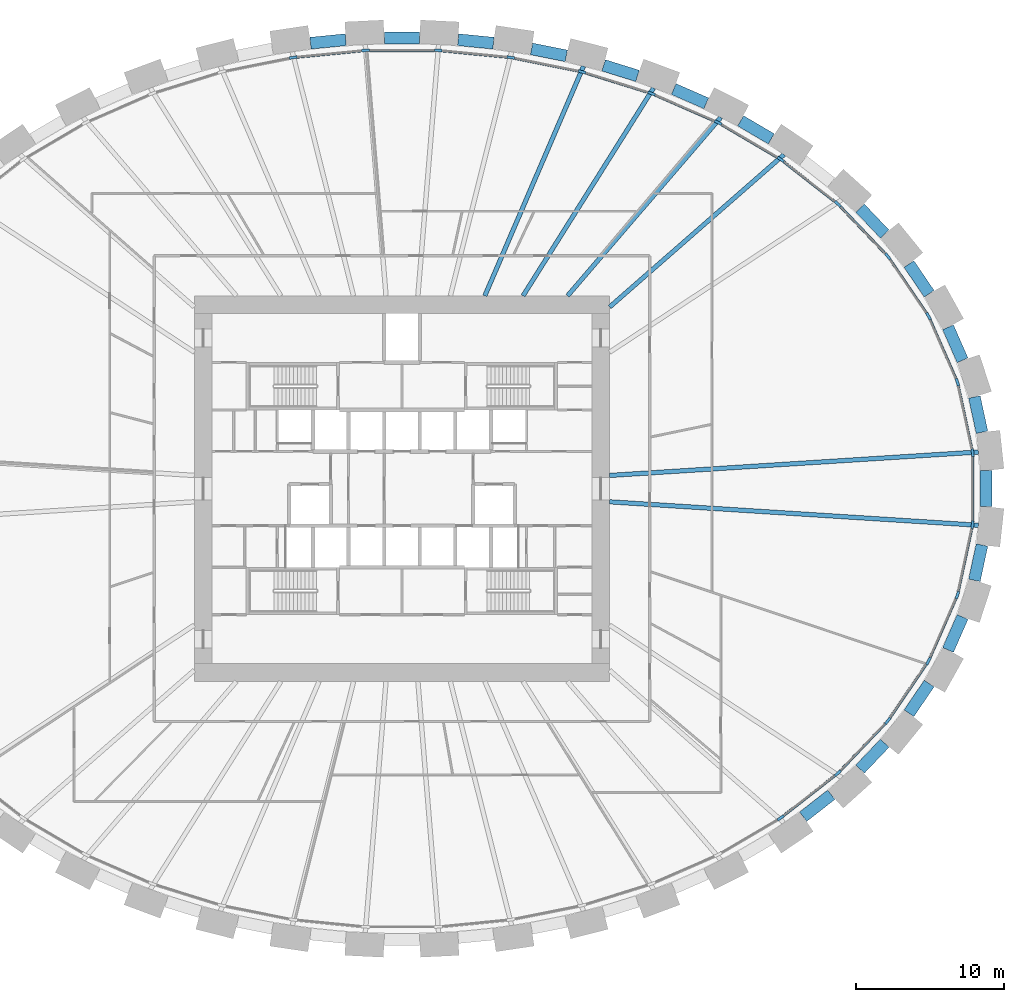
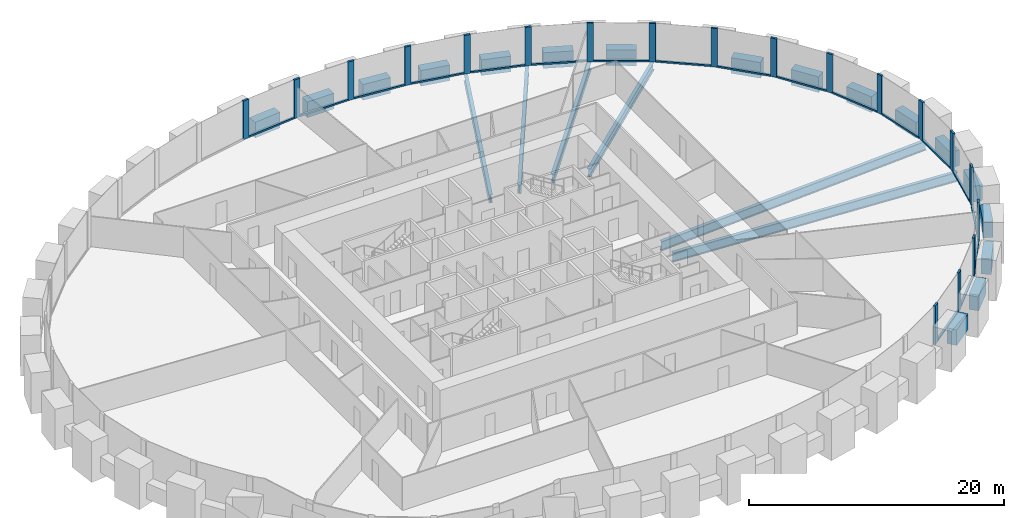
# One storey, part 3 of 11: 37 members, 23 beams, 1 element without a shape of its own.
"""IFC4 building model written with IfcOpenShell, lengths in metres."""

from ifc_helpers import new_model, si_unit, direction, frame, origin, origin_2d, place, context, subcontext, project, spatial, rectangle, i_section, extrude, source, transform, mapped, material, material_profile, profile_set, type_object, element, aggregate, save


model = new_model("IFC4")

# Units and contexts
model_context = context("Model", 3, precision=1e-05, world=origin(), true_north=direction((0.0, 1.0)))
body_context = subcontext(model_context, "Body", "Model", "MODEL_VIEW")
ifc_project = project(units=[si_unit("LENGTHUNIT", "METRE"), si_unit("AREAUNIT", "SQUARE_METRE"), si_unit("VOLUMEUNIT", "CUBIC_METRE"), si_unit("PLANEANGLEUNIT", "RADIAN"), si_unit("MASSUNIT", "GRAM", prefix="KILO")], contexts=[model_context])

# Site, building, storey
site_placement = place(None, origin())
site = spatial("IfcSite", under=ifc_project, at=site_placement, CompositionType="ELEMENT")
building_placement = place(site_placement, origin())
building = spatial("IfcBuilding", under=site, at=building_placement, Name="Embergate Tower", CompositionType="ELEMENT")
storey_placement = place(building_placement, frame((0.0, 0.0, 41.89990234375)))
storey = spatial("IfcBuildingStorey", under=building, at=storey_placement, Name="L06", CompositionType="ELEMENT", Elevation=41.89990234375)

# Beams
ifc_material_1 = material(Name="Concrete C70", Category="concrete")
ifc_material_profile_1 = material_profile(ifc_material_1, rectangle(XDim=0.800048828125, YDim=1.5, at=origin_2d()), Name="RC 800x1500")
ifc_profile_set_1 = profile_set([ifc_material_profile_1], Name="Concrete C70")
beam_type_1 = type_object("IfcBeamType", Name="Spandrel beam RC 800x1500 C70", PredefinedType="BEAM", material=ifc_profile_set_1)
shared_shape_1 = source(origin(), body_context, "Body", "SweptSolid", [
    extrude(rectangle(XDim=0.800048828125, YDim=1.5, at=origin_2d()), origin(), (0.0, 0.0, 1.0), 2.431396484375),
])
for number, where, z_axis, x_axis, name in (
    (1, (39.10302734375, 3.802001953125, 0.0), (-0.210557552213, 0.977581463207, 0.0), (-0.977581463207, -0.210557552213, 0.0), "SPN-L06-00"),
    (2, (38.591064453125, -6.178955078125, 0.0), (0.210557552213, 0.977581463207, 0.0), (-0.977581463207, 0.210557552213, 0.0), "SPN-L06-42"),
):
    element("IfcBeam", number, at=place(storey_placement, frame(where, z_axis=z_axis, x_axis=x_axis)), inside=storey, type_object=beam_type_1, Name=name, PredefinedType="BEAM", context=body_context, shape_type="MappedRepresentation", body=[
        mapped(shared_shape_1, transform((0.0, 0.0, 0.0))),
    ])
shared_shape_2 = source(origin(), body_context, "Body", "SweptSolid", [
    extrude(rectangle(XDim=0.800048828125, YDim=1.5, at=origin_2d()), origin(), (0.0, 0.0, 1.0), 2.42724609375),
])
for number, where, z_axis, x_axis, name in (
    (3, (37.791015625, 8.653076171875, 0.0), (-0.401710329843, 0.915766788488, 0.0), (-0.915766788488, -0.401710329843, 0.0), "SPN-L06-01"),
    (4, (36.81591796875, -10.8759765625, 0.0), (0.401710329843, 0.915766788488, 0.0), (-0.915766788488, 0.401710329843, 0.0), "SPN-L06-41"),
):
    element("IfcBeam", number, at=place(storey_placement, frame(where, z_axis=z_axis, x_axis=x_axis)), inside=storey, type_object=beam_type_1, Name=name, PredefinedType="BEAM", context=body_context, shape_type="MappedRepresentation", body=[
        mapped(shared_shape_2, transform((0.0, 0.0, 0.0))),
    ])
shared_shape_3 = source(origin(), body_context, "Body", "SweptSolid", [
    extrude(rectangle(XDim=0.800048828125, YDim=1.5, at=origin_2d()), origin(), (0.0, 0.0, 1.0), 2.418701171875),
])
for number, where, z_axis, x_axis, name in (
    (5, (35.5400390625, 13.14111328125, 0.0), (-0.562340391575, 0.82690584954, 0.0), (-0.82690584954, -0.562340391575, 0.0), "SPN-L06-02"),
    (6, (34.179931640625, -15.14111328125, 0.0), (0.562340391575, 0.82690584954, 0.0), (-0.82690584954, 0.562340391575, 0.0), "SPN-L06-40"),
):
    element("IfcBeam", number, at=place(storey_placement, frame(where, z_axis=z_axis, x_axis=x_axis)), inside=storey, type_object=beam_type_1, Name=name, PredefinedType="BEAM", context=body_context, shape_type="MappedRepresentation", body=[
        mapped(shared_shape_3, transform((0.0, 0.0, 0.0))),
    ])
shared_shape_4 = source(origin(), body_context, "Body", "SweptSolid", [
    extrude(rectangle(XDim=0.800048828125, YDim=1.5, at=origin_2d()), origin(), (0.0, 0.0, 1.0), 2.410400390625),
])
for number, where, z_axis, x_axis, name in (
    (7, (32.5458984375, 17.1630859375, 0.0), (-0.68988529803, 0.723918694027, 0.0), (-0.723918694027, -0.68988529803, 0.0), "SPN-L06-03"),
    (8, (30.883056640625, -18.907958984375, 0.0), (0.68988529803, 0.723918694027, 0.0), (-0.723918694027, 0.68988529803, 0.0), "SPN-L06-39"),
):
    element("IfcBeam", number, at=place(storey_placement, frame(where, z_axis=z_axis, x_axis=x_axis)), inside=storey, type_object=beam_type_1, Name=name, PredefinedType="BEAM", context=body_context, shape_type="MappedRepresentation", body=[
        mapped(shared_shape_4, transform((0.0, 0.0, 0.0))),
    ])
shared_shape_5 = source(origin(), body_context, "Body", "SweptSolid", [
    extrude(rectangle(XDim=0.800048828125, YDim=1.5, at=origin_2d()), origin(), (0.0, 0.0, 1.0), 2.40234375),
])
beam_1_placement = place(storey_placement, frame((27.048095703125, -22.115966796875, 0.0), z_axis=(0.788327805862, 0.615255451423, 0.0), x_axis=(-0.615255451423, 0.788327805862, 0.0)))
element("IfcBeam", 9, at=beam_1_placement, inside=storey, type_object=beam_type_1, Name="SPN-L06-38", PredefinedType="BEAM", context=body_context, shape_type="MappedRepresentation", body=[
    mapped(shared_shape_5, transform((0.0, 0.0, 0.0))),
])
shared_shape_6 = source(origin(), body_context, "Body", "SweptSolid", [
    extrude(rectangle(XDim=0.800048828125, YDim=1.5, at=origin_2d()), origin(), (0.0, 0.0, 1.0), 2.397705078125),
])
beam_2_placement = place(storey_placement, frame((24.89794921875, 23.577880859375, 0.0), z_axis=(-0.86206768602, 0.506793157728, 0.0), x_axis=(-0.506793157728, -0.86206768602, 0.0)))
element("IfcBeam", 10, at=beam_2_placement, inside=storey, type_object=beam_type_1, Name="SPN-L06-05", PredefinedType="BEAM", context=body_context, shape_type="MappedRepresentation", body=[
    mapped(shared_shape_6, transform((0.0, 0.0, 0.0))),
])
shared_shape_7 = source(origin(), body_context, "Body", "SweptSolid", [
    extrude(rectangle(XDim=0.800048828125, YDim=1.5, at=origin_2d()), origin(), (0.0, 0.0, 1.0), 2.394775390625),
])
beam_3_placement = place(storey_placement, frame((20.514892578125, 25.97509765625, 0.0), z_axis=(-0.916133934694, 0.40087231596, 0.0), x_axis=(-0.40087231596, -0.916133934694, 0.0)))
element("IfcBeam", 11, at=beam_3_placement, inside=storey, type_object=beam_type_1, Name="SPN-L06-06", PredefinedType="BEAM", context=body_context, shape_type="MappedRepresentation", body=[
    mapped(shared_shape_7, transform((0.0, 0.0, 0.0))),
])
shared_shape_8 = source(origin(), body_context, "Body", "SweptSolid", [
    extrude(rectangle(XDim=0.800048828125, YDim=1.5, at=origin_2d()), origin(), (0.0, 0.0, 1.0), 2.388916015625),
])
beam_4_placement = place(storey_placement, frame((15.8779296875, 27.824951171875, 0.0), z_axis=(-0.954819405725, 0.297186645815, 0.0), x_axis=(-0.297186645815, -0.954819405725, 0.0)))
element("IfcBeam", 12, at=beam_4_placement, inside=storey, type_object=beam_type_1, Name="SPN-L06-07", PredefinedType="BEAM", context=body_context, shape_type="MappedRepresentation", body=[
    mapped(shared_shape_8, transform((0.0, 0.0, 0.0))),
])
shared_shape_9 = source(origin(), body_context, "Body", "SweptSolid", [
    extrude(rectangle(XDim=0.800048828125, YDim=1.5, at=origin_2d()), origin(), (0.0, 0.0, 1.0), 2.38818359375),
])
beam_5_placement = place(storey_placement, frame((11.077880859375, 29.177978515625, 0.0), z_axis=(-0.980529530549, 0.196371687676, 0.0), x_axis=(-0.196371687676, -0.980529530549, 0.0)))
element("IfcBeam", 13, at=beam_5_placement, inside=storey, type_object=beam_type_1, Name="SPN-L06-08", PredefinedType="BEAM", context=body_context, shape_type="MappedRepresentation", body=[
    mapped(shared_shape_9, transform((0.0, 0.0, 0.0))),
])
shared_shape_10 = source(origin(), body_context, "Body", "SweptSolid", [
    extrude(rectangle(XDim=0.800048828125, YDim=1.5, at=origin_2d()), origin(), (0.0, 0.0, 1.0), 2.386474609375),
])
for number, where, z_axis, x_axis, name in (
    (14, (6.1650390625, 30.031005859375, 0.0), (-0.995225797629, 0.097599240434, 0.0), (-0.097599240434, -0.995225797629, 0.0), "SPN-L06-09"),
    (15, (-3.7900390625, 30.263916015625, 0.0), (-0.995225797629, -0.097599240434, 0.0), (0.097599240434, -0.995225797629, 0.0), "SPN-L06-11"),
):
    element("IfcBeam", number, at=place(storey_placement, frame(where, z_axis=z_axis, x_axis=x_axis)), inside=storey, type_object=beam_type_1, Name=name, PredefinedType="BEAM", context=body_context, shape_type="MappedRepresentation", body=[
        mapped(shared_shape_10, transform((0.0, 0.0, 0.0))),
    ])
shared_shape_11 = source(origin(), body_context, "Body", "SweptSolid", [
    extrude(rectangle(XDim=0.800048828125, YDim=1.5, at=origin_2d()), origin(), (0.0, 0.0, 1.0), 2.38623046875),
])
beam_6_placement = place(storey_placement, frame((1.193115234375, 30.39208984375, 0.0), z_axis=(-1.0, 0.0, 0.0), x_axis=(0.0, -1.0, 0.0)))
element("IfcBeam", 16, at=beam_6_placement, inside=storey, type_object=beam_type_1, Name="SPN-L06-10", PredefinedType="BEAM", context=body_context, shape_type="MappedRepresentation", body=[
    mapped(shared_shape_11, transform((0.0, 0.0, 0.0))),
])
shared_shape_12 = source(origin(), body_context, "Body", "SweptSolid", [
    extrude(rectangle(XDim=0.800048828125, YDim=1.5, at=origin_2d()), origin(), (0.0, 0.0, 1.0), 2.43408203125),
])
beam_7_placement = place(storey_placement, frame((39.3779296875, -1.217041015625, 0.0), z_axis=(0.0, 1.0, 0.0), x_axis=(-1.0, 0.0, 0.0)))
element("IfcBeam", 17, at=beam_7_placement, inside=storey, type_object=beam_type_1, Name="SPN-L06-43", PredefinedType="BEAM", context=body_context, shape_type="MappedRepresentation", body=[
    mapped(shared_shape_12, transform((0.0, 0.0, 0.0))),
])
ifc_material_2 = material(Name="Steel Q355B", Category="steel")
ifc_material_profile_2 = material_profile(ifc_material_2, i_section(OverallWidth=0.300048828125, OverallDepth=0.89990234375, WebThickness=0.01611328125, FlangeThickness=0.028076171875, FilletRadius=0.028076171875, at=origin_2d()), Name="HN 900x300x16x28")
ifc_profile_set_2 = profile_set([ifc_material_profile_2], Name="Steel Q355 grade B")
beam_type_2 = type_object("IfcBeamType", Name="Radial girder HN 900x300x16x28", PredefinedType="BEAM", material=ifc_profile_set_2)
shared_shape_13 = source(origin(), body_context, "Body", "SweptSolid", [
    extrude(i_section(OverallWidth=0.300048828125, OverallDepth=0.89990234375, WebThickness=0.01611328125, FlangeThickness=0.028076171875, FilletRadius=0.028076171875, at=origin_2d()), origin(), (0.0, 0.0, 1.0), 24.907958984375),
])
for number, where, z_axis, x_axis, name in (
    (18, (38.85791015625, 2.468994140625, -0.64990234375), (-0.997985884947, -0.063436373209, 0.0), (0.063436373209, -0.997985884947, 0.0), "GIR-L06-00"),
    (19, (38.85791015625, -2.468994140625, -0.64990234375), (-0.997985884947, 0.063436373209, 0.0), (-0.063436373209, -0.997985884947, 0.0), "GIR-L06-43"),
):
    element("IfcBeam", number, at=place(storey_placement, frame(where, z_axis=z_axis, x_axis=x_axis)), inside=storey, type_object=beam_type_2, Name=name, PredefinedType="BEAM", context=body_context, shape_type="MappedRepresentation", body=[
        mapped(shared_shape_13, transform((0.0, 0.0, 0.0))),
    ])
ifc_material_profile_3 = material_profile(ifc_material_2, i_section(OverallWidth=0.300048828125, OverallDepth=0.800048828125, WebThickness=0.013916015625, FlangeThickness=0.02587890625, FilletRadius=0.028076171875, at=origin_2d()), Name="HN 800x300x14x26")
ifc_profile_set_3 = profile_set([ifc_material_profile_3], Name="Steel Q355 grade B")
beam_type_3 = type_object("IfcBeamType", Name="Radial girder HN 800x300x14x26", PredefinedType="BEAM", material=ifc_profile_set_3)
shared_shape_14 = source(origin(), body_context, "Body", "SweptSolid", [
    extrude(i_section(OverallWidth=0.300048828125, OverallDepth=0.800048828125, WebThickness=0.013916015625, FlangeThickness=0.02587890625, FilletRadius=0.028076171875, at=origin_2d()), origin(), (0.0, 0.0, 1.0), 15.611083984375),
])
beam_8_placement = place(storey_placement, frame((25.751953125, 22.51904296875, -0.599853515625), z_axis=(-0.752793660755, -0.658256564211, 0.0), x_axis=(0.658256564211, -0.752793660755, 0.0)))
element("IfcBeam", 20, at=beam_8_placement, inside=storey, type_object=beam_type_3, Name="GIR-L06-05", PredefinedType="BEAM", context=body_context, shape_type="MappedRepresentation", body=[
    mapped(shared_shape_14, transform((0.0, 0.0, 0.0))),
])
shared_shape_15 = source(origin(), body_context, "Body", "SweptSolid", [
    extrude(i_section(OverallWidth=0.300048828125, OverallDepth=0.800048828125, WebThickness=0.013916015625, FlangeThickness=0.02587890625, FilletRadius=0.028076171875, at=origin_2d()), origin(), (0.0, 0.0, 1.0), 15.8505859375),
])
beam_9_placement = place(storey_placement, frame((21.490966796875, 25.02490234375, -0.599853515625), z_axis=(-0.651512825192, -0.758637620086, 0.0), x_axis=(0.758637620086, -0.651512825192, 0.0)))
element("IfcBeam", 21, at=beam_9_placement, inside=storey, type_object=beam_type_3, Name="GIR-L06-06", PredefinedType="BEAM", context=body_context, shape_type="MappedRepresentation", body=[
    mapped(shared_shape_15, transform((0.0, 0.0, 0.0))),
])
shared_shape_16 = source(origin(), body_context, "Body", "SweptSolid", [
    extrude(i_section(OverallWidth=0.300048828125, OverallDepth=0.800048828125, WebThickness=0.013916015625, FlangeThickness=0.02587890625, FilletRadius=0.028076171875, at=origin_2d()), origin(), (0.0, 0.0, 1.0), 16.5390625),
])
beam_10_placement = place(storey_placement, frame((16.9599609375, 27.006103515625, -0.599853515625), z_axis=(-0.53182746927, -0.846852728005, 0.0), x_axis=(0.846852728005, -0.53182746927, 0.0)))
element("IfcBeam", 22, at=beam_10_placement, inside=storey, type_object=beam_type_3, Name="GIR-L06-07", PredefinedType="BEAM", context=body_context, shape_type="MappedRepresentation", body=[
    mapped(shared_shape_16, transform((0.0, 0.0, 0.0))),
])
shared_shape_17 = source(origin(), body_context, "Body", "SweptSolid", [
    extrude(i_section(OverallWidth=0.300048828125, OverallDepth=0.800048828125, WebThickness=0.013916015625, FlangeThickness=0.02587890625, FilletRadius=0.028076171875, at=origin_2d()), origin(), (0.0, 0.0, 1.0), 16.845458984375),
])
beam_11_placement = place(storey_placement, frame((12.240966796875, 28.47607421875, -0.599853515625), z_axis=(-0.394945799239, -0.91870442236, 0.0), x_axis=(0.91870442236, -0.394945799239, 0.0)))
element("IfcBeam", 23, at=beam_11_placement, inside=storey, type_object=beam_type_3, Name="GIR-L06-08", PredefinedType="BEAM", context=body_context, shape_type="MappedRepresentation", body=[
    mapped(shared_shape_17, transform((0.0, 0.0, 0.0))),
])

# Curtain wall, members
ifc_material_3 = material(Name="Aluminium and glass", Category="aluminium")
curtain_wall_type = type_object("IfcCurtainWallType", Name="Recessed office glazing", PredefinedType="NOTDEFINED", material=ifc_material_3)
curtain_wall_placement = place(storey_placement, origin())
curtain_wall = element("IfcCurtainWall", 24, at=curtain_wall_placement, inside=storey, type_object=curtain_wall_type, Name="Recessed office glazing ring", ObjectType="RECESSED OFFICE GLAZING", PredefinedType="USERDEFINED")
ifc_material_4 = material(Name="Aluminium, thermally broken", Category="aluminium")
ifc_material_profile_4 = material_profile(ifc_material_4, rectangle(XDim=0.179931640625, YDim=0.14990234375, at=origin_2d()), Name="AL 150x180")
ifc_profile_set_4 = profile_set([ifc_material_profile_4], Name="Aluminium, thermally broken")
member_type_1 = type_object("IfcMemberType", Name="Office sill transom", PredefinedType="USERDEFINED", material=ifc_profile_set_4)
shared_shape_18 = source(origin(), body_context, "Body", "SweptSolid", [
    extrude(rectangle(XDim=0.179931640625, YDim=0.14990234375, at=origin_2d()), origin(), (0.0, 0.0, 1.0), 4.33642578125),
])
member_1_placement = place(storey_placement, frame((38.415283203125, 2.680908203125, 0.0751953125), z_axis=(-0.210397968538, 0.977615821699, 0.0), x_axis=(-0.977615821699, -0.210397968538, 0.0)))
member_1 = element("IfcMember", 25, at=member_1_placement, type_object=member_type_1, Name="CW transom 1.1", ObjectType="TRANSOM", PredefinedType="USERDEFINED", context=body_context, shape_type="MappedRepresentation", body=[
    mapped(shared_shape_18, transform((0.0, 0.0, 0.0))),
])
member_2_placement = place(storey_placement, frame((37.5029296875, -6.920166015625, 0.0751953125), z_axis=(0.210397968538, 0.977615821699, 0.0), x_axis=(-0.977615821699, 0.210397968538, 0.0)))
member_2 = element("IfcMember", 26, at=member_2_placement, type_object=member_type_1, Name="CW transom 43.1", ObjectType="TRANSOM", PredefinedType="USERDEFINED", context=body_context, shape_type="MappedRepresentation", body=[
    mapped(shared_shape_18, transform((0.0, 0.0, 0.0))),
])
shared_shape_19 = source(origin(), body_context, "Body", "SweptSolid", [
    extrude(rectangle(XDim=0.179931640625, YDim=0.14990234375, at=origin_2d()), origin(), (0.0, 0.0, 1.0), 4.34326171875),
])
member_3_placement = place(storey_placement, frame((37.34375, 7.412353515625, 0.0751953125), z_axis=(-0.401632547459, 0.915800904576, 0.0), x_axis=(-0.915800904576, -0.401632547459, 0.0)))
member_3 = element("IfcMember", 27, at=member_3_placement, type_object=member_type_1, Name="CW transom 2.1", ObjectType="TRANSOM", PredefinedType="USERDEFINED", context=body_context, shape_type="MappedRepresentation", body=[
    mapped(shared_shape_19, transform((0.0, 0.0, 0.0))),
])
member_4_placement = place(storey_placement, frame((35.599365234375, -11.389892578125, 0.0751953125), z_axis=(0.401632547459, 0.915800904576, 0.0), x_axis=(-0.915800904576, 0.401632547459, 0.0)))
member_4 = element("IfcMember", 28, at=member_4_placement, type_object=member_type_1, Name="CW transom 42.1", ObjectType="TRANSOM", PredefinedType="USERDEFINED", context=body_context, shape_type="MappedRepresentation", body=[
    mapped(shared_shape_19, transform((0.0, 0.0, 0.0))),
])
shared_shape_20 = source(origin(), body_context, "Body", "SweptSolid", [
    extrude(rectangle(XDim=0.179931640625, YDim=0.14990234375, at=origin_2d()), origin(), (0.0, 0.0, 1.0), 4.352294921875),
])
member_5_placement = place(storey_placement, frame((35.3486328125, 11.843017578125, 0.0751953125), z_axis=(-0.562352981855, 0.826897287333, 0.0), x_axis=(-0.826897287333, -0.562352981855, 0.0)))
member_5 = element("IfcMember", 29, at=member_5_placement, type_object=member_type_1, Name="CW transom 3.1", ObjectType="TRANSOM", PredefinedType="USERDEFINED", context=body_context, shape_type="MappedRepresentation", body=[
    mapped(shared_shape_20, transform((0.0, 0.0, 0.0))),
])
member_6_placement = place(storey_placement, frame((32.901123046875, -15.44189453125, 0.0751953125), z_axis=(0.562352981855, 0.826897287333, 0.0), x_axis=(-0.826897287333, 0.562352981855, 0.0)))
member_6 = element("IfcMember", 30, at=member_6_placement, type_object=member_type_1, Name="CW transom 41.1", ObjectType="TRANSOM", PredefinedType="USERDEFINED", context=body_context, shape_type="MappedRepresentation", body=[
    mapped(shared_shape_20, transform((0.0, 0.0, 0.0))),
])
shared_shape_21 = source(origin(), body_context, "Body", "SweptSolid", [
    extrude(rectangle(XDim=0.179931640625, YDim=0.14990234375, at=origin_2d()), origin(), (0.0, 0.0, 1.0), 4.361083984375),
])
member_7_placement = place(storey_placement, frame((32.57568359375, 15.844970703125, 0.0751953125), z_axis=(-0.690141477818, 0.723674471427, 0.0), x_axis=(-0.723674471427, -0.690141477818, 0.0)))
member_7 = element("IfcMember", 31, at=member_7_placement, type_object=member_type_1, Name="CW transom 4.1", ObjectType="TRANSOM", PredefinedType="USERDEFINED", context=body_context, shape_type="MappedRepresentation", body=[
    mapped(shared_shape_21, transform((0.0, 0.0, 0.0))),
])
member_8_placement = place(storey_placement, frame((29.56591796875, -19.0009765625, 0.0751953125), z_axis=(0.690141477818, 0.723674471427, 0.0), x_axis=(-0.723674471427, 0.690141477818, 0.0)))
member_8 = element("IfcMember", 32, at=member_8_placement, type_object=member_type_1, Name="CW transom 40.1", ObjectType="TRANSOM", PredefinedType="USERDEFINED", context=body_context, shape_type="MappedRepresentation", body=[
    mapped(shared_shape_21, transform((0.0, 0.0, 0.0))),
])
shared_shape_22 = source(origin(), body_context, "Body", "SweptSolid", [
    extrude(rectangle(XDim=0.179931640625, YDim=0.14990234375, at=origin_2d()), origin(), (0.0, 0.0, 1.0), 4.368408203125),
])
member_9_placement = place(storey_placement, frame((29.181396484375, 19.34912109375, 0.0751953125), z_axis=(-0.788309833008, 0.615278479375, 0.0), x_axis=(-0.615278479375, -0.788309833008, 0.0)))
member_9 = element("IfcMember", 33, at=member_9_placement, type_object=member_type_1, Name="CW transom 5.1", ObjectType="TRANSOM", PredefinedType="USERDEFINED", context=body_context, shape_type="MappedRepresentation", body=[
    mapped(shared_shape_22, transform((0.0, 0.0, 0.0))),
])
member_10_placement = place(storey_placement, frame((25.73779296875, -22.036865234375, 0.0751953125), z_axis=(0.788309833008, 0.615278479375, 0.0), x_axis=(-0.615278479375, 0.788309833008, 0.0)))
member_10 = element("IfcMember", 34, at=member_10_placement, type_object=member_type_1, Name="CW transom 39.1", ObjectType="TRANSOM", PredefinedType="USERDEFINED", context=body_context, shape_type="MappedRepresentation", body=[
    mapped(shared_shape_22, transform((0.0, 0.0, 0.0))),
])
shared_shape_23 = source(origin(), body_context, "Body", "SweptSolid", [
    extrude(rectangle(XDim=0.179931640625, YDim=0.14990234375, at=origin_2d()), origin(), (0.0, 0.0, 1.0), 4.37451171875),
])
member_11_placement = place(storey_placement, frame((25.30859375, 22.32861328125, 0.0751953125), z_axis=(-0.862053273507, 0.506817672971, 0.0), x_axis=(-0.506817672971, -0.862053273507, 0.0)))
member_11 = element("IfcMember", 35, at=member_11_placement, type_object=member_type_1, Name="CW transom 6.1", ObjectType="TRANSOM", PredefinedType="USERDEFINED", context=body_context, shape_type="MappedRepresentation", body=[
    mapped(shared_shape_23, transform((0.0, 0.0, 0.0))),
])
shared_shape_24 = source(origin(), body_context, "Body", "SweptSolid", [
    extrude(rectangle(XDim=0.179931640625, YDim=0.14990234375, at=origin_2d()), origin(), (0.0, 0.0, 1.0), 4.37890625),
])
member_12_placement = place(storey_placement, frame((21.0751953125, 24.781494140625, 0.0751953125), z_axis=(-0.916236650028, 0.400637493434, 0.0), x_axis=(-0.400637493434, -0.916236650028, 0.0)))
member_12 = element("IfcMember", 36, at=member_12_placement, type_object=member_type_1, Name="CW transom 7.1", ObjectType="TRANSOM", PredefinedType="USERDEFINED", context=body_context, shape_type="MappedRepresentation", body=[
    mapped(shared_shape_24, transform((0.0, 0.0, 0.0))),
])
shared_shape_25 = source(origin(), body_context, "Body", "SweptSolid", [
    extrude(rectangle(XDim=0.179931640625, YDim=0.14990234375, at=origin_2d()), origin(), (0.0, 0.0, 1.0), 4.38232421875),
])
member_13_placement = place(storey_placement, frame((16.57666015625, 26.71728515625, 0.0751953125), z_axis=(-0.954759100468, 0.297380328994, 0.0), x_axis=(-0.297380328994, -0.954759100468, 0.0)))
member_13 = element("IfcMember", 37, at=member_13_placement, type_object=member_type_1, Name="CW transom 8.1", ObjectType="TRANSOM", PredefinedType="USERDEFINED", context=body_context, shape_type="MappedRepresentation", body=[
    mapped(shared_shape_25, transform((0.0, 0.0, 0.0))),
])
shared_shape_26 = source(origin(), body_context, "Body", "SweptSolid", [
    extrude(rectangle(XDim=0.179931640625, YDim=0.14990234375, at=origin_2d()), origin(), (0.0, 0.0, 1.0), 4.384765625),
])
member_14_placement = place(storey_placement, frame((11.889404296875, 28.14892578125, 0.0751953125), z_axis=(-0.980482039913, 0.196608670733, 0.0), x_axis=(-0.196608670733, -0.980482039913, 0.0)))
member_14 = element("IfcMember", 38, at=member_14_placement, type_object=member_type_1, Name="CW transom 9.1", ObjectType="TRANSOM", PredefinedType="USERDEFINED", context=body_context, shape_type="MappedRepresentation", body=[
    mapped(shared_shape_26, transform((0.0, 0.0, 0.0))),
])
shared_shape_27 = source(origin(), body_context, "Body", "SweptSolid", [
    extrude(rectangle(XDim=0.179931640625, YDim=0.14990234375, at=origin_2d()), origin(), (0.0, 0.0, 1.0), 4.3857421875),
])
member_15_placement = place(storey_placement, frame((7.07666015625, 29.087646484375, 0.0751953125), z_axis=(-0.995205497416, 0.097806021868, 0.0), x_axis=(-0.097806021868, -0.995205497416, 0.0)))
member_15 = element("IfcMember", 39, at=member_15_placement, type_object=member_type_1, Name="CW transom 10.1", ObjectType="TRANSOM", PredefinedType="USERDEFINED", context=body_context, shape_type="MappedRepresentation", body=[
    mapped(shared_shape_27, transform((0.0, 0.0, 0.0))),
])
member_16_placement = place(storey_placement, frame((-2.7119140625, 29.5166015625, 0.0751953125), z_axis=(-0.995205497416, -0.097806021868, 0.0), x_axis=(0.097806021868, -0.995205497416, 0.0)))
member_16 = element("IfcMember", 40, at=member_16_placement, type_object=member_type_1, Name="CW transom 12.1", ObjectType="TRANSOM", PredefinedType="USERDEFINED", context=body_context, shape_type="MappedRepresentation", body=[
    mapped(shared_shape_27, transform((0.0, 0.0, 0.0))),
])
shared_shape_28 = source(origin(), body_context, "Body", "SweptSolid", [
    extrude(rectangle(XDim=0.179931640625, YDim=0.14990234375, at=origin_2d()), origin(), (0.0, 0.0, 1.0), 4.38623046875),
])
member_17_placement = place(storey_placement, frame((2.193115234375, 29.5419921875, 0.0751953125), z_axis=(-1.0, 0.0, 0.0), x_axis=(0.0, -1.0, 0.0)))
member_17 = element("IfcMember", 41, at=member_17_placement, type_object=member_type_1, Name="CW transom 11.1", ObjectType="TRANSOM", PredefinedType="USERDEFINED", context=body_context, shape_type="MappedRepresentation", body=[
    mapped(shared_shape_28, transform((0.0, 0.0, 0.0))),
])
shared_shape_29 = source(origin(), body_context, "Body", "SweptSolid", [
    extrude(rectangle(XDim=0.179931640625, YDim=0.14990234375, at=origin_2d()), origin(), (0.0, 0.0, 1.0), 4.33349609375),
])
member_18_placement = place(storey_placement, frame((38.469970703125, -2.166748046875, 0.0751953125), z_axis=(0.0, 1.0, 0.0), x_axis=(-1.0, 0.0, 0.0)))
member_18 = element("IfcMember", 42, at=member_18_placement, type_object=member_type_1, Name="CW transom 44.1", ObjectType="TRANSOM", PredefinedType="USERDEFINED", context=body_context, shape_type="MappedRepresentation", body=[
    mapped(shared_shape_29, transform((0.0, 0.0, 0.0))),
])
ifc_material_profile_5 = material_profile(ifc_material_4, rectangle(XDim=0.179931640625, YDim=0.52001953125, at=origin_2d()), Name="AL 520x180")
ifc_profile_set_5 = profile_set([ifc_material_profile_5], Name="Aluminium, thermally broken")
member_type_2 = type_object("IfcMemberType", Name="Office mullion", PredefinedType="MULLION", material=ifc_profile_set_5)
shared_shape_30 = source(origin(), body_context, "Body", "SweptSolid", [
    extrude(rectangle(XDim=0.179931640625, YDim=0.52001953125, at=origin_2d()), origin(), (0.0, 0.0, 1.0), 3.7001953125),
])
member_19_placement = place(storey_placement, frame((38.469970703125, 2.4267578125, 0.0), z_axis=(0.0, 0.0, 1.0), x_axis=(-0.994384954736, -0.105823257345, 0.0)))
member_19 = element("IfcMember", 43, at=member_19_placement, type_object=member_type_2, Name="CW mullion 1", PredefinedType="MULLION", context=body_context, shape_type="MappedRepresentation", body=[
    mapped(shared_shape_30, transform((0.0, 0.0, 0.0))),
])
member_20_placement = place(storey_placement, frame((37.4482421875, 7.17431640625, 0.0), z_axis=(0.0, 0.0, 1.0), x_axis=(-0.951498871907, -0.307652233471, 0.0)))
member_20 = element("IfcMember", 44, at=member_20_placement, type_object=member_type_2, Name="CW mullion 2", PredefinedType="MULLION", context=body_context, shape_type="MappedRepresentation", body=[
    mapped(shared_shape_30, transform((0.0, 0.0, 0.0))),
])
member_21_placement = place(storey_placement, frame((35.494873046875, 11.628173828125, 0.0), z_axis=(0.0, 0.0, 1.0), x_axis=(-0.875002740779, -0.484117964581, 0.0)))
member_21 = element("IfcMember", 45, at=member_21_placement, type_object=member_type_2, Name="CW mullion 3", PredefinedType="MULLION", context=body_context, shape_type="MappedRepresentation", body=[
    mapped(shared_shape_30, transform((0.0, 0.0, 0.0))),
])
member_22_placement = place(storey_placement, frame((32.7548828125, 15.656982421875, 0.0), z_axis=(0.0, 0.0, 1.0), x_axis=(-0.777873661157, -0.62842069291, 0.0)))
member_22 = element("IfcMember", 46, at=member_22_placement, type_object=member_type_2, Name="CW mullion 4", PredefinedType="MULLION", context=body_context, shape_type="MappedRepresentation", body=[
    mapped(shared_shape_30, transform((0.0, 0.0, 0.0))),
])
member_23_placement = place(storey_placement, frame((29.386474609375, 19.189208984375, 0.0), z_axis=(0.0, 0.0, 1.0), x_axis=(-0.671226533956, -0.741252278319, 0.0)))
member_23 = element("IfcMember", 47, at=member_23_placement, type_object=member_type_2, Name="CW mullion 5", PredefinedType="MULLION", context=body_context, shape_type="MappedRepresentation", body=[
    mapped(shared_shape_30, transform((0.0, 0.0, 0.0))),
])
member_24_placement = place(storey_placement, frame((25.53271484375, 22.19677734375, 0.0), z_axis=(0.0, 0.0, 1.0), x_axis=(-0.562216175174, -0.826990309721, 0.0)))
member_24 = element("IfcMember", 48, at=member_24_placement, type_object=member_type_2, Name="CW mullion 6", PredefinedType="MULLION", context=body_context, shape_type="MappedRepresentation", body=[
    mapped(shared_shape_30, transform((0.0, 0.0, 0.0))),
])
member_25_placement = place(storey_placement, frame((21.3134765625, 24.677490234375, 0.0), z_axis=(0.0, 0.0, 1.0), x_axis=(-0.454509825889, -0.890741723605, 0.0)))
member_25 = element("IfcMember", 49, at=member_25_placement, type_object=member_type_2, Name="CW mullion 7", PredefinedType="MULLION", context=body_context, shape_type="MappedRepresentation", body=[
    mapped(shared_shape_30, transform((0.0, 0.0, 0.0))),
])
member_26_placement = place(storey_placement, frame((16.824951171875, 26.64013671875, 0.0), z_axis=(0.0, 0.0, 1.0), x_axis=(-0.349501047589, -0.936935973124, 0.0)))
member_26 = element("IfcMember", 50, at=member_26_placement, type_object=member_type_2, Name="CW mullion 8", PredefinedType="MULLION", context=body_context, shape_type="MappedRepresentation", body=[
    mapped(shared_shape_30, transform((0.0, 0.0, 0.0))),
])
member_27_placement = place(storey_placement, frame((12.144287109375, 28.097900390625, 0.0), z_axis=(0.0, 0.0, 1.0), x_axis=(-0.247310190257, -0.968936360034, 0.0)))
member_27 = element("IfcMember", 51, at=member_27_placement, type_object=member_type_2, Name="CW mullion 9", PredefinedType="MULLION", context=body_context, shape_type="MappedRepresentation", body=[
    mapped(shared_shape_30, transform((0.0, 0.0, 0.0))),
])
member_28_placement = place(storey_placement, frame((7.33544921875, 29.062255859375, 0.0), z_axis=(0.0, 0.0, 1.0), x_axis=(-0.147410656556, -0.989075375456, 0.0)))
member_28 = element("IfcMember", 52, at=member_28_placement, type_object=member_type_2, Name="CW mullion 10", PredefinedType="MULLION", context=body_context, shape_type="MappedRepresentation", body=[
    mapped(shared_shape_30, transform((0.0, 0.0, 0.0))),
])
member_29_placement = place(storey_placement, frame((2.453125, 29.5419921875, 0.0), z_axis=(0.0, 0.0, 1.0), x_axis=(-0.048971796621, -0.998800161762, 0.0)))
member_29 = element("IfcMember", 53, at=member_29_placement, type_object=member_type_2, Name="CW mullion 11", PredefinedType="MULLION", context=body_context, shape_type="MappedRepresentation", body=[
    mapped(shared_shape_30, transform((0.0, 0.0, 0.0))),
])
member_30_placement = place(storey_placement, frame((-2.453125, 29.5419921875, 0.0), z_axis=(0.0, 0.0, 1.0), x_axis=(0.048971796621, -0.998800161762, 0.0)))
member_30 = element("IfcMember", 54, at=member_30_placement, type_object=member_type_2, Name="CW mullion 12", PredefinedType="MULLION", context=body_context, shape_type="MappedRepresentation", body=[
    mapped(shared_shape_30, transform((0.0, 0.0, 0.0))),
])
member_31_placement = place(storey_placement, frame((-7.33544921875, 29.062255859375, 0.0), z_axis=(0.0, 0.0, 1.0), x_axis=(0.147410656556, -0.989075375456, 0.0)))
member_31 = element("IfcMember", 55, at=member_31_placement, type_object=member_type_2, Name="CW mullion 13", PredefinedType="MULLION", context=body_context, shape_type="MappedRepresentation", body=[
    mapped(shared_shape_30, transform((0.0, 0.0, 0.0))),
])
member_32_placement = place(storey_placement, frame((25.53271484375, -22.19677734375, 0.0), z_axis=(0.0, 0.0, 1.0), x_axis=(-0.562216175174, 0.826990309721, 0.0)))
member_32 = element("IfcMember", 56, at=member_32_placement, type_object=member_type_2, Name="CW mullion 39", PredefinedType="MULLION", context=body_context, shape_type="MappedRepresentation", body=[
    mapped(shared_shape_30, transform((0.0, 0.0, 0.0))),
])
member_33_placement = place(storey_placement, frame((29.386474609375, -19.189208984375, 0.0), z_axis=(0.0, 0.0, 1.0), x_axis=(-0.671226533956, 0.741252278319, 0.0)))
member_33 = element("IfcMember", 57, at=member_33_placement, type_object=member_type_2, Name="CW mullion 40", PredefinedType="MULLION", context=body_context, shape_type="MappedRepresentation", body=[
    mapped(shared_shape_30, transform((0.0, 0.0, 0.0))),
])
member_34_placement = place(storey_placement, frame((32.7548828125, -15.656982421875, 0.0), z_axis=(0.0, 0.0, 1.0), x_axis=(-0.777873661157, 0.62842069291, 0.0)))
member_34 = element("IfcMember", 58, at=member_34_placement, type_object=member_type_2, Name="CW mullion 41", PredefinedType="MULLION", context=body_context, shape_type="MappedRepresentation", body=[
    mapped(shared_shape_30, transform((0.0, 0.0, 0.0))),
])
member_35_placement = place(storey_placement, frame((35.494873046875, -11.628173828125, 0.0), z_axis=(0.0, 0.0, 1.0), x_axis=(-0.875002740779, 0.484117964581, 0.0)))
member_35 = element("IfcMember", 59, at=member_35_placement, type_object=member_type_2, Name="CW mullion 42", PredefinedType="MULLION", context=body_context, shape_type="MappedRepresentation", body=[
    mapped(shared_shape_30, transform((0.0, 0.0, 0.0))),
])
member_36_placement = place(storey_placement, frame((37.4482421875, -7.17431640625, 0.0), z_axis=(0.0, 0.0, 1.0), x_axis=(-0.951498871907, 0.307652233471, 0.0)))
member_36 = element("IfcMember", 60, at=member_36_placement, type_object=member_type_2, Name="CW mullion 43", PredefinedType="MULLION", context=body_context, shape_type="MappedRepresentation", body=[
    mapped(shared_shape_30, transform((0.0, 0.0, 0.0))),
])
member_37_placement = place(storey_placement, frame((38.469970703125, -2.4267578125, 0.0), z_axis=(0.0, 0.0, 1.0), x_axis=(-0.994384954736, 0.105823257345, 0.0)))
member_37 = element("IfcMember", 61, at=member_37_placement, type_object=member_type_2, Name="CW mullion 44", PredefinedType="MULLION", context=body_context, shape_type="MappedRepresentation", body=[
    mapped(shared_shape_30, transform((0.0, 0.0, 0.0))),
])
aggregate(curtain_wall, [member_19, member_20, member_21, member_22, member_23, member_24, member_25, member_26, member_27, member_28, member_29, member_30, member_31, member_32, member_33, member_34, member_35, member_36, member_37, member_1, member_3, member_5, member_7, member_9, member_11, member_12, member_13, member_14, member_15, member_17, member_16, member_10, member_8, member_6, member_4, member_2, member_18])

save(model, "model.ifc")
